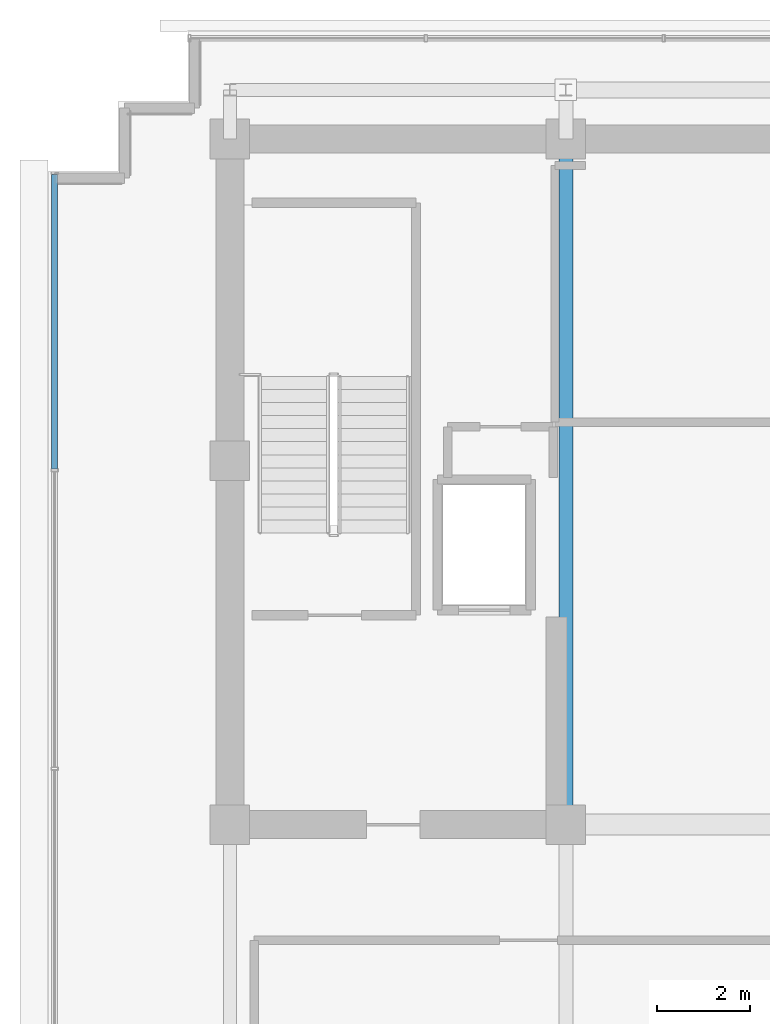
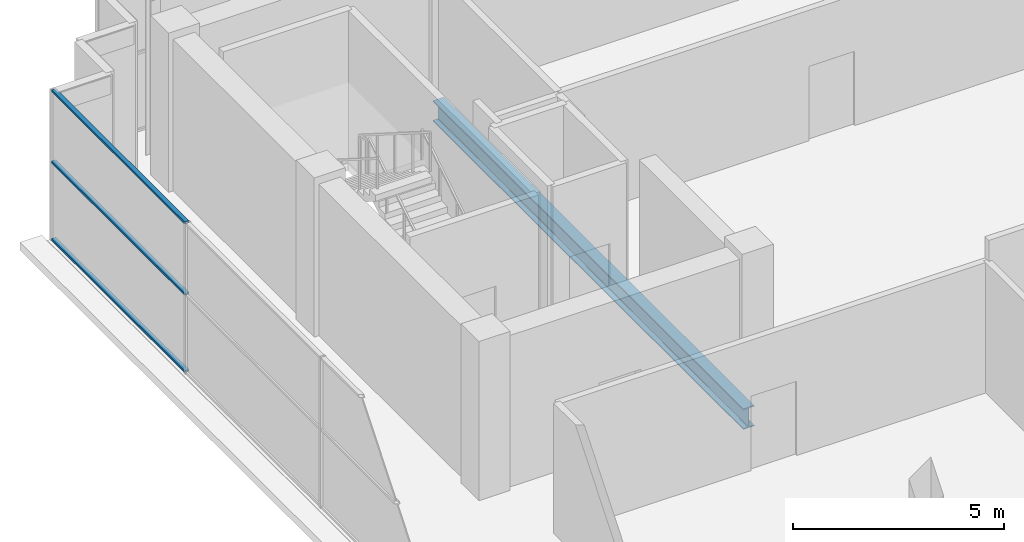
# One storey, part 15 of 28: 3 members, 1 beam, 1 element without a shape of its own.
"""IFC4 building model written with IfcOpenShell, lengths in metres."""

from ifc_helpers import new_model, si_unit, direction, frame, origin, origin_2d, place, context, subcontext, project, spatial, hollow_rectangle, i_section, extrude, source, transform, mapped, material, layer, layer_set, material_profile, profile_set, type_object, element, aggregate, save


model = new_model("IFC4")

# Units and contexts
model_context = context("Model", 3, precision=1e-05, world=origin(), true_north=direction((0.0, 1.0)))
body_context = subcontext(model_context, "Body", "Model", "MODEL_VIEW")
ifc_project = project(units=[si_unit("LENGTHUNIT", "METRE"), si_unit("AREAUNIT", "SQUARE_METRE"), si_unit("VOLUMEUNIT", "CUBIC_METRE"), si_unit("PLANEANGLEUNIT", "RADIAN"), si_unit("MASSUNIT", "GRAM", prefix="KILO")], contexts=[model_context])

# Site, building, storey
site_placement = place(None, origin())
site = spatial("IfcSite", under=ifc_project, at=site_placement, CompositionType="ELEMENT")
building_placement = place(site_placement, origin())
building = spatial("IfcBuilding", under=site, at=building_placement, Name="Zarnakvel Exchange Tower", CompositionType="ELEMENT")
storey_placement = place(building_placement, frame((0.0, 0.0, 290.0)))
storey = spatial("IfcBuildingStorey", under=building, at=storey_placement, Name="Crown L81", CompositionType="ELEMENT", Elevation=290.0)

# Beam
ifc_material_1 = material(Name="Steel S355", Category="steel")
ifc_material_profile_1 = material_profile(ifc_material_1, i_section(OverallWidth=0.300048828125, OverallDepth=0.60009765625, WebThickness=0.015380859375, FlangeThickness=0.030029296875, FilletRadius=0.027099609375, at=origin_2d()))
ifc_profile_set_1 = profile_set([ifc_material_profile_1], Name="Steel S355")
beam_type = type_object("IfcBeamType", Name="G-04", PredefinedType="BEAM", material=ifc_profile_set_1)
beam_placement = place(storey_placement, frame((-7.199951171875, -1.199951171875, -0.52001953125), z_axis=(0.0, 1.0, 0.0), x_axis=(-1.0, 0.0, 0.0)))
element("IfcBeam", 1, at=beam_placement, inside=storey, type_object=beam_type, Name="Crown L81 Tower N-S Frame Beam", PredefinedType="BEAM", context=body_context, shape_type="SweptSolid", body=[
    extrude(i_section(OverallWidth=0.300048828125, OverallDepth=0.60009765625, WebThickness=0.015380859375, FlangeThickness=0.030029296875, FilletRadius=0.027099609375, at=origin_2d()), origin(), (0.0, 0.0, 1.0), 14.699951171875),
])

# Curtain wall, members
ifc_material_2 = material(Name="Architectural Bronze Anodised Aluminium", Category="aluminium")
ifc_layer = layer(ifc_material_2, 0.14990234375)
ifc_layer_set = layer_set([ifc_layer], Name="Architectural Bronze Anodised Aluminium")
curtain_wall_type = type_object("IfcCurtainWallType", Name="CW-07", PredefinedType="NOTDEFINED", material=ifc_layer_set)
curtain_wall_placement = place(storey_placement, origin())
curtain_wall = element("IfcCurtainWall", 2, at=curtain_wall_placement, inside=storey, type_object=curtain_wall_type, Name="Crown L81 Curtain Wall CW-Crown L81-W (CW-07)", PredefinedType="NOTDEFINED")
ifc_material_profile_2 = material_profile(ifc_material_2, hollow_rectangle(XDim=0.1201171875, YDim=0.06005859375, WallThickness=0.00390625, at=origin_2d()))
ifc_profile_set_2 = profile_set([ifc_material_profile_2], Name="Architectural Bronze Anodised Aluminium")
member_type = type_object("IfcMemberType", Name="CWT-07", PredefinedType="USERDEFINED", material=ifc_profile_set_2)
shared_shape = source(origin(), body_context, "Body", "SweptSolid", [
    extrude(hollow_rectangle(XDim=0.1201171875, YDim=0.06005859375, WallThickness=0.00390625, at=origin_2d()), origin(), (0.0, 0.0, 1.0), 6.31005859375),
])
member_1_placement = place(storey_placement, frame((-18.159912109375, 6.429931640625, 0.030029296875), z_axis=(0.0, 1.0, 0.0), x_axis=(-1.0, 0.0, 0.0)))
member_1 = element("IfcMember", 3, at=member_1_placement, type_object=member_type, Name="CW-07 transom 4.1", ObjectType="TRANSOM", PredefinedType="USERDEFINED", context=body_context, shape_type="MappedRepresentation", body=[
    mapped(shared_shape, transform((0.0, 0.0, 0.0), x_axis=(1.0, 0.0, 0.0), y_axis=(0.0, 1.0, 0.0), z_axis=(0.0, 0.0, 1.0), scale=1.0)),
])
member_2_placement = place(storey_placement, frame((-18.159912109375, 6.429931640625, 2.26708984375), z_axis=(0.0, 1.0, 0.0), x_axis=(-1.0, 0.0, 0.0)))
member_2 = element("IfcMember", 4, at=member_2_placement, type_object=member_type, Name="CW-07 transom 4.2", ObjectType="TRANSOM", PredefinedType="USERDEFINED", context=body_context, shape_type="MappedRepresentation", body=[
    mapped(shared_shape, transform((0.0, 0.0, 0.0), x_axis=(1.0, 0.0, 0.0), y_axis=(0.0, 1.0, 0.0), z_axis=(0.0, 0.0, 1.0), scale=1.0)),
])
member_3_placement = place(storey_placement, frame((-18.159912109375, 6.429931640625, 4.330078125), z_axis=(0.0, 1.0, 0.0), x_axis=(-1.0, 0.0, 0.0)))
member_3 = element("IfcMember", 5, at=member_3_placement, type_object=member_type, Name="CW-07 transom 4.3", ObjectType="TRANSOM", PredefinedType="USERDEFINED", context=body_context, shape_type="MappedRepresentation", body=[
    mapped(shared_shape, transform((0.0, 0.0, 0.0), x_axis=(1.0, 0.0, 0.0), y_axis=(0.0, 1.0, 0.0), z_axis=(0.0, 0.0, 1.0), scale=1.0)),
])
aggregate(curtain_wall, [member_1, member_2, member_3])

save(model, "model.ifc")
